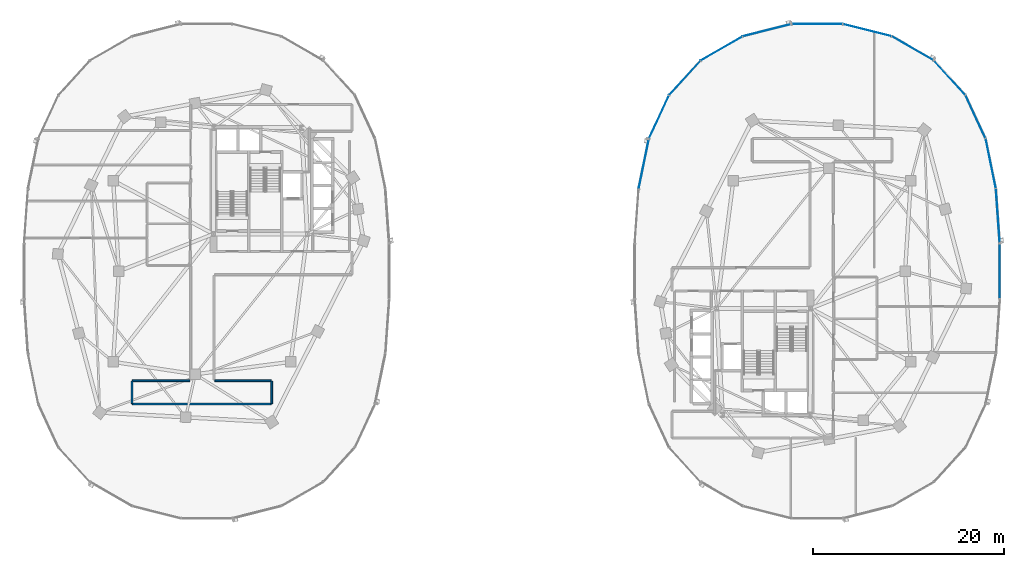
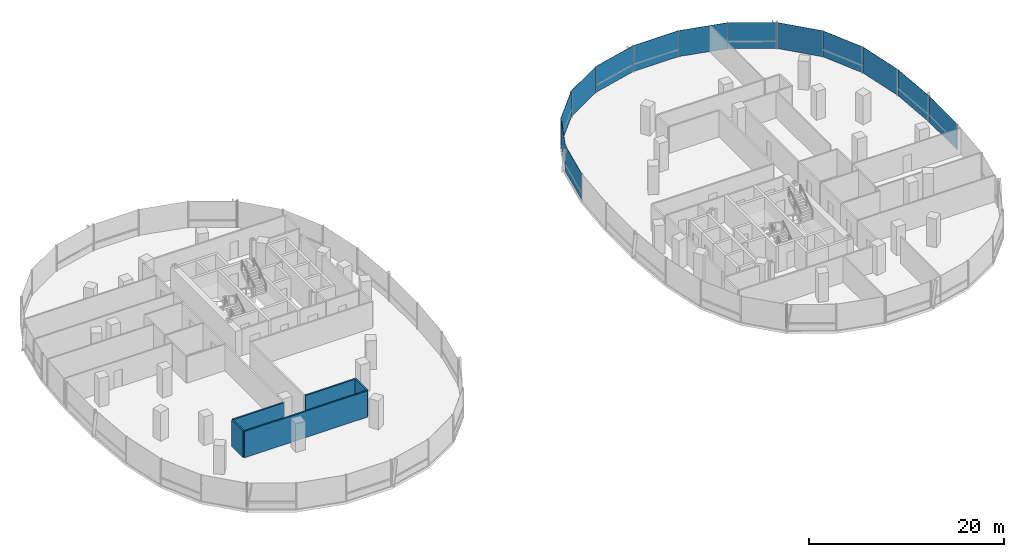
# One storey, part 10 of 21: 13 plates, 5 walls, 3 elements without a shape of their own.
"""IFC4 building model written with IfcOpenShell, lengths in metres."""

from ifc_helpers import new_model, si_unit, direction, frame, frame_2d, origin, origin_2d, place, context, subcontext, project, spatial, rectangle, extrude, material, layer, layer_set, type_object, element, aggregate, save


model = new_model("IFC4")

# Units and contexts
model_context = context("Model", 3, precision=1e-05, world=origin(), true_north=direction((0.0, 1.0)))
body_context = subcontext(model_context, "Body", "Model", "MODEL_VIEW")
ifc_project = project(units=[si_unit("LENGTHUNIT", "METRE"), si_unit("AREAUNIT", "SQUARE_METRE"), si_unit("VOLUMEUNIT", "CUBIC_METRE"), si_unit("PLANEANGLEUNIT", "RADIAN"), si_unit("MASSUNIT", "GRAM", prefix="KILO"), si_unit("THERMODYNAMICTEMPERATUREUNIT", "KELVIN"), si_unit("POWERUNIT", "WATT")], contexts=[model_context])

# Site, building, storey
site_placement = place(None, origin())
site = spatial("IfcSite", under=ifc_project, at=site_placement, CompositionType="ELEMENT")
building_placement = place(site_placement, origin())
building = spatial("IfcBuilding", under=site, at=building_placement, Name="Cundina Bronze Exchange", CompositionType="ELEMENT")
storey_placement = place(building_placement, frame((0.0, 0.0, 85.39990234375)))
storey = spatial("IfcBuildingStorey", under=building, at=storey_placement, Name="L21", CompositionType="ELEMENT", Elevation=85.39990234375)

# Curtain wall, plates
ifc_material_1 = material(Name="Anodised Bronze Aluminium 6063-T6", Category="aluminium")
curtain_wall_type = type_object("IfcCurtainWallType", Name="CWS-TRD-MID", PredefinedType="NOTDEFINED", material=ifc_material_1)
curtain_wall_1_placement = place(storey_placement, origin())
curtain_wall_1 = element("IfcCurtainWall", 1, at=curtain_wall_1_placement, inside=storey, type_object=curtain_wall_type, Name="L21 CW-03 Curtain Wall Run CWR-L21-E1", PredefinedType="NOTDEFINED")
ifc_material_2 = material(Name="Heat-Strengthened Solar-Control Bronze Safety Glass 28mm", Category="glass")
ifc_layer_1 = layer(ifc_material_2, 0.028076171875, Name="Heat-Strengthened Solar-Control Bronze Safety Glass 28mm", Category="glass")
ifc_layer_set_1 = layer_set([ifc_layer_1], Name="Heat-Strengthened Solar-Control Bronze Safety Glass 28mm")
plate_type_1 = type_object("IfcPlateType", Name="PLT-GLZ-VIS28", PredefinedType="CURTAIN_PANEL", material=ifc_layer_set_1)
plate_1_placement = place(storey_placement, frame((50.9267578125, 5.783935546875, 0.02001953125), z_axis=(0.0, 0.0, 1.0), x_axis=(-0.070278787473, 0.997527389113, 0.0)))
plate_1 = element("IfcPlate", 2, at=plate_1_placement, type_object=plate_type_1, Name="CW-03 Glazed Panel 1", PredefinedType="CURTAIN_PANEL", context=body_context, shape_type="SweptSolid", body=[
    extrude(rectangle(XDim=5.644287109375, YDim=0.028076171875, at=origin_2d()), origin(), (0.0, 0.0, 1.0), 3.260009765625),
])
plate_2_placement = place(storey_placement, frame((50.18408203125, 11.269775390625, 0.02001953125), z_axis=(0.0, 0.0, 1.0), x_axis=(-0.201419845156, 0.979505000486, 0.0)))
plate_2 = element("IfcPlate", 3, at=plate_2_placement, type_object=plate_type_1, Name="CW-03 Glazed Panel 2", PredefinedType="CURTAIN_PANEL", context=body_context, shape_type="SweptSolid", body=[
    extrude(rectangle(XDim=5.306640625, YDim=0.028076171875, at=origin_2d()), origin(), (0.0, 0.0, 1.0), 3.260009765625),
])
plate_3_placement = place(storey_placement, frame((48.586181640625, 16.177734375, 0.02001953125), z_axis=(0.0, 0.0, 1.0), x_axis=(-0.42084583328, 0.907132175932, 0.0)))
plate_3 = element("IfcPlate", 4, at=plate_3_placement, type_object=plate_type_1, Name="CW-03 Glazed Panel 3", PredefinedType="CURTAIN_PANEL", context=body_context, shape_type="SweptSolid", body=[
    extrude(rectangle(XDim=4.966552734375, YDim=0.028076171875, at=origin_2d()), origin(), (0.0, 0.0, 1.0), 3.260009765625),
])
plate_4_placement = place(storey_placement, frame((42.019287109375, 23.34423828125, 0.02001953125), z_axis=(0.0, 0.0, 1.0), x_axis=(-0.867105478933, 0.498124571171, 0.0)))
plate_4 = element("IfcPlate", 5, at=plate_4_placement, type_object=plate_type_1, Name="CW-03 Glazed Panel 5", PredefinedType="CURTAIN_PANEL", context=body_context, shape_type="SweptSolid", body=[
    extrude(rectangle(XDim=5.021240234375, YDim=0.028076171875, at=origin_2d()), origin(), (0.0, 0.0, 1.0), 3.260009765625),
])
plate_5_placement = place(storey_placement, frame((37.255615234375, 25.256591796875, 0.02001953125), z_axis=(0.0, 0.0, 1.0), x_axis=(-0.969488149345, 0.245138182011, 0.0)))
plate_5 = element("IfcPlate", 6, at=plate_5_placement, type_object=plate_type_1, Name="CW-03 Glazed Panel 6", PredefinedType="CURTAIN_PANEL", context=body_context, shape_type="SweptSolid", body=[
    extrude(rectangle(XDim=5.2333984375, YDim=0.028076171875, at=origin_2d()), origin(), (0.0, 0.0, 1.0), 3.260009765625),
])
plate_6_placement = place(storey_placement, frame((32.0, 25.905029296875, 0.02001953125), z_axis=(0.0, 0.0, 1.0), x_axis=(-1.0, 0.0, 0.0)))
plate_6 = element("IfcPlate", 7, at=plate_6_placement, type_object=plate_type_1, Name="CW-03 Glazed Panel 7", PredefinedType="CURTAIN_PANEL", context=body_context, shape_type="SweptSolid", body=[
    extrude(rectangle(XDim=5.323974609375, YDim=0.028076171875, at=origin_2d()), origin(), (0.0, 0.0, 1.0), 3.260009765625),
])

curtain_wall_2_placement = place(storey_placement, origin())
curtain_wall_2 = element("IfcCurtainWall", 8, at=curtain_wall_2_placement, inside=storey, type_object=curtain_wall_type, Name="L21 CW-03 Curtain Wall Run CWR-L21-E2", PredefinedType="NOTDEFINED")
plate_7_placement = place(storey_placement, frame((26.744384765625, 25.256591796875, 0.02001953125), z_axis=(0.0, 0.0, 1.0), x_axis=(-0.969488149345, -0.245138182011, 0.0)))
plate_7 = element("IfcPlate", 9, at=plate_7_placement, type_object=plate_type_1, Name="CW-03 Glazed Panel 1", PredefinedType="CURTAIN_PANEL", context=body_context, shape_type="SweptSolid", body=[
    extrude(rectangle(XDim=5.2333984375, YDim=0.028076171875, at=origin_2d()), origin(), (0.0, 0.0, 1.0), 3.260009765625),
])
plate_8_placement = place(storey_placement, frame((21.980712890625, 23.34423828125, 0.02001953125), z_axis=(0.0, 0.0, 1.0), x_axis=(-0.867105478933, -0.498124571171, 0.0)))
plate_8 = element("IfcPlate", 10, at=plate_8_placement, type_object=plate_type_1, Name="CW-03 Glazed Panel 2", PredefinedType="CURTAIN_PANEL", context=body_context, shape_type="SweptSolid", body=[
    extrude(rectangle(XDim=5.021240234375, YDim=0.028076171875, at=origin_2d()), origin(), (0.0, 0.0, 1.0), 3.260009765625),
])
plate_9_placement = place(storey_placement, frame((15.413818359375, 16.177734375, 0.02001953125), z_axis=(0.0, 0.0, 1.0), x_axis=(-0.42084583328, -0.907132175932, 0.0)))
plate_9 = element("IfcPlate", 11, at=plate_9_placement, type_object=plate_type_1, Name="CW-03 Glazed Panel 4", PredefinedType="CURTAIN_PANEL", context=body_context, shape_type="SweptSolid", body=[
    extrude(rectangle(XDim=4.966552734375, YDim=0.028076171875, at=origin_2d()), origin(), (0.0, 0.0, 1.0), 3.260009765625),
])
plate_10_placement = place(storey_placement, frame((13.81591796875, 11.269775390625, 0.02001953125), z_axis=(0.0, 0.0, 1.0), x_axis=(-0.201419845156, -0.979505000486, 0.0)))
plate_10 = element("IfcPlate", 12, at=plate_10_placement, type_object=plate_type_1, Name="CW-03 Glazed Panel 5", PredefinedType="CURTAIN_PANEL", context=body_context, shape_type="SweptSolid", body=[
    extrude(rectangle(XDim=5.306640625, YDim=0.028076171875, at=origin_2d()), origin(), (0.0, 0.0, 1.0), 3.260009765625),
])

# Curtain wall, plate
curtain_wall_3_placement = place(storey_placement, origin())
curtain_wall_3 = element("IfcCurtainWall", 13, at=curtain_wall_3_placement, inside=storey, type_object=curtain_wall_type, Name="L21 CW-03 Curtain Wall Run CWR-L21-E4", PredefinedType="NOTDEFINED")
plate_11_placement = place(storey_placement, frame((51.1279296875, 0.0, 0.02001953125), z_axis=(0.0, 0.0, 1.0), x_axis=(0.0, 1.0, 0.0)))
plate_11 = element("IfcPlate", 14, at=plate_11_placement, type_object=plate_type_1, Name="CW-03 Glazed Panel 7", PredefinedType="CURTAIN_PANEL", context=body_context, shape_type="SweptSolid", body=[
    extrude(rectangle(XDim=5.77587890625, YDim=0.028076171875, at=origin_2d()), origin(), (0.0, 0.0, 1.0), 3.260009765625),
])
aggregate(curtain_wall_3, [plate_11])

# Plate
ifc_material_3 = material(Name="Dark Bronze Spandrel Glass Panel 32mm", Category="glass")
ifc_layer_2 = layer(ifc_material_3, 0.031982421875, Name="Dark Bronze Spandrel Glass Panel 32mm", Category="glass")
ifc_layer_set_2 = layer_set([ifc_layer_2], Name="Dark Bronze Spandrel Glass Panel 32mm")
plate_type_2 = type_object("IfcPlateType", Name="PLT-SPN-BRZ32", PredefinedType="CURTAIN_PANEL", material=ifc_layer_set_2)
plate_12_placement = place(storey_placement, frame((45.8740234375, 20.267333984375, 0.02001953125), z_axis=(0.0, 0.0, 1.0), x_axis=(-0.674276610219, 0.73847887777, 0.0)))
plate_12 = element("IfcPlate", 15, at=plate_12_placement, type_object=plate_type_2, Name="CW-03 Glazed Panel 4", PredefinedType="CURTAIN_PANEL", context=body_context, shape_type="SweptSolid", body=[
    extrude(rectangle(XDim=4.86328125, YDim=0.031982421875, at=origin_2d()), origin(), (0.0, 0.0, 1.0), 3.260009765625),
])

aggregate(curtain_wall_1, [plate_1, plate_2, plate_3, plate_12, plate_4, plate_5, plate_6])

plate_13_placement = place(storey_placement, frame((18.1259765625, 20.267333984375, 0.02001953125), z_axis=(0.0, 0.0, 1.0), x_axis=(-0.674276610219, -0.73847887777, 0.0)))
plate_13 = element("IfcPlate", 16, at=plate_13_placement, type_object=plate_type_2, Name="CW-03 Glazed Panel 3", PredefinedType="CURTAIN_PANEL", context=body_context, shape_type="SweptSolid", body=[
    extrude(rectangle(XDim=4.86328125, YDim=0.031982421875, at=origin_2d()), origin(), (0.0, 0.0, 1.0), 3.260009765625),
])

aggregate(curtain_wall_2, [plate_7, plate_8, plate_13, plate_9, plate_10])

# Walls
ifc_material_4 = material(Name="Gypsum Fireboard Partition EI120")
ifc_layer_3 = layer(ifc_material_4, 0.179931640625, Name="Gypsum Fireboard Partition EI120")
ifc_layer_set_3 = layer_set([ifc_layer_3], Name="Gypsum Fireboard Partition EI120")
wall_type = type_object("IfcWallType", Name="WL-COR-180", PredefinedType="PARTITIONING", material=ifc_layer_set_3)
wall_1_placement = place(storey_placement, frame((-39.778564453125, -13.919921875, 0.0), z_axis=(0.0, 0.0, 1.0), x_axis=(1.0, 0.0, 0.0)))
element("IfcWall", 17, at=wall_1_placement, inside=storey, type_object=wall_type, Name="L21 Interior Partition 019", PredefinedType="PARTITIONING", context=body_context, shape_type="SweptSolid", body=[
    extrude(rectangle(XDim=14.55712890625, YDim=0.179931640625, at=frame_2d((7.278564453125, 0.0))), origin(), (0.0, 0.0, 1.0), 3.300048828125),
])
wall_2_placement = place(storey_placement, frame((-33.75, -11.47998046875, 0.0), z_axis=(0.0, 0.0, 1.0), x_axis=(-1.0, 0.0, 0.0)))
element("IfcWall", 18, at=wall_2_placement, inside=storey, type_object=wall_type, Name="L21 Interior Partition 023", PredefinedType="PARTITIONING", context=body_context, shape_type="SweptSolid", body=[
    extrude(rectangle(XDim=6.028564453125, YDim=0.179931640625, at=frame_2d((3.01416015625, 0.0))), origin(), (0.0, 0.0, 1.0), 3.300048828125),
])
wall_3_placement = place(storey_placement, frame((-25.221435546875, -11.47998046875, 0.0), z_axis=(0.0, 0.0, 1.0), x_axis=(-1.0, 0.0, 0.0)))
element("IfcWall", 19, at=wall_3_placement, inside=storey, type_object=wall_type, Name="L21 Interior Partition 024", PredefinedType="PARTITIONING", context=body_context, shape_type="SweptSolid", body=[
    extrude(rectangle(XDim=5.928466796875, YDim=0.179931640625, at=frame_2d((2.96435546875, 0.0))), origin(), (0.0, 0.0, 1.0), 3.300048828125),
])
for number, where, z_axis, x_axis, name in (
    (20, (-39.820068359375, -11.521484375, 0.0), (0.0, 0.0, 1.0), (0.0, -1.0, 0.0), "L21 Interior Partition 029"),
    (21, (-25.179931640625, -13.87841796875, 0.0), (0.0, 0.0, 1.0), (0.0, 1.0, 0.0), "L21 Interior Partition 030"),
):
    element("IfcWall", number, at=place(storey_placement, frame(where, z_axis=z_axis, x_axis=x_axis)), inside=storey, type_object=wall_type, Name=name, PredefinedType="PARTITIONING", context=body_context, shape_type="SweptSolid", body=[
        extrude(rectangle(XDim=2.35693359375, YDim=0.179931640625, at=frame_2d((1.178466796875, 0.0))), origin(), (0.0, 0.0, 1.0), 3.300048828125),
    ])

save(model, "model.ifc")
